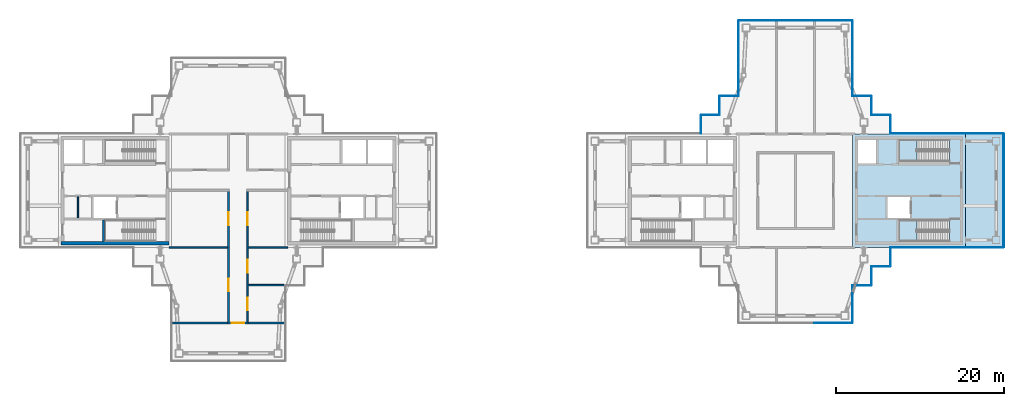
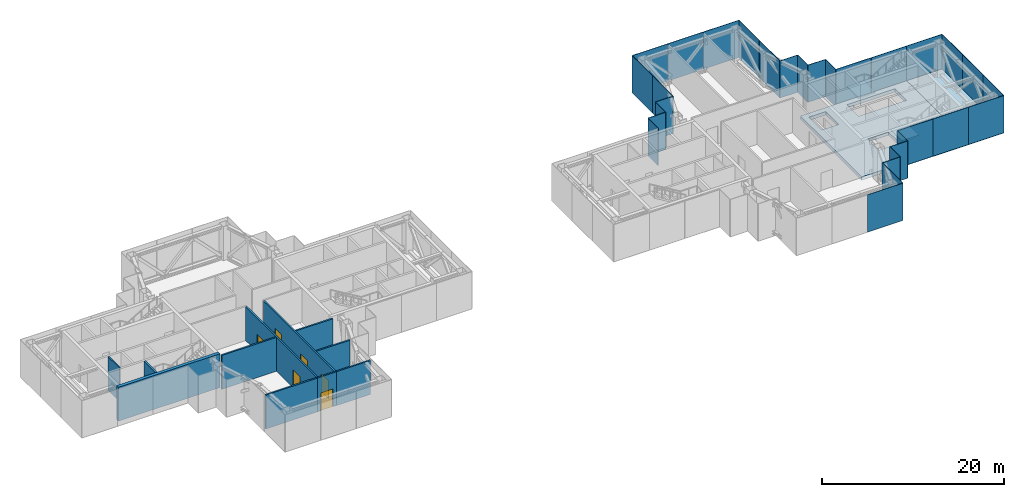
# One storey, part 6 of 18: 30 plates, 11 walls, 6 doors, 4 slabs, 6 openings, 15 elements without a shape of their own.
"""IFC4 building model written with IfcOpenShell, lengths in metres."""

from ifc_helpers import new_model, si_unit, direction, frame, frame_2d, origin, origin_2d, place, context, subcontext, project, spatial, polyline, rectangle, outline, extrude, material, layer, layer_set, type_object, element, fill, aggregate, save


model = new_model("IFC4")

# Units and contexts
model_context = context("Model", 3, precision=1e-05, world=origin(), true_north=direction((0.0, 1.0)))
body_context = subcontext(model_context, "Body", "Model", "MODEL_VIEW")
ifc_project = project(units=[si_unit("LENGTHUNIT", "METRE"), si_unit("AREAUNIT", "SQUARE_METRE"), si_unit("VOLUMEUNIT", "CUBIC_METRE"), si_unit("PLANEANGLEUNIT", "RADIAN"), si_unit("MASSUNIT", "GRAM", prefix="KILO")], contexts=[model_context])

# Site, building, storey
site_placement = place(None, origin())
site = spatial("IfcSite", under=ifc_project, at=site_placement, CompositionType="ELEMENT")
building_placement = place(site_placement, origin())
building = spatial("IfcBuilding", under=site, at=building_placement, Name="Shamsa Quay Exchange Towers", CompositionType="ELEMENT")
storey_placement = place(building_placement, frame((0.0, 0.0, 273.300048828125)))
storey = spatial("IfcBuildingStorey", under=building, at=storey_placement, Name="L66", CompositionType="ELEMENT", Elevation=273.300048828125)

# Slab
ifc_material_1 = material(Name="Concrete C50/60", Category="concrete")
ifc_layer_1 = layer(ifc_material_1, 0.449951171875)
ifc_layer_set_1 = layer_set([ifc_layer_1], Name="CORE FLOOR 450 C50/60")
slab_type_1 = type_object("IfcSlabType", Name="CORE FLOOR 450 C50/60", PredefinedType="FLOOR", material=ifc_layer_set_1)
slab_1_placement = place(storey_placement, frame((0.0, 0.0, -0.449951171875)))
element("IfcSlab", 1, at=slab_1_placement, inside=storey, type_object=slab_type_1, Name="Core floor T2B", PredefinedType="FLOOR", context=body_context, shape_type="SweptSolid", body=[
    extrude(outline(polyline([(54.0, -6.75), (54.0, 6.75), (40.5, 6.75), (40.5, -6.75), (54.0, -6.75)]), holes=[polyline([(52.099365234375, -3.5), (52.099365234375, -6.050048828125), (46.0, -6.050048828125), (46.0, -3.5), (52.099365234375, -3.5)]), polyline([(52.099365234375, 6.050048828125), (52.099365234375, 3.5), (46.0, 3.5), (46.0, 6.050048828125), (52.099365234375, 6.050048828125)]), polyline([(43.35009765625, 3.25), (41.199951171875, 3.25), (41.199951171875, 6.050048828125), (43.35009765625, 6.050048828125), (43.35009765625, 3.25)]), polyline([(47.35009765625, -3.25), (44.699951171875, -3.25), (44.699951171875, -0.75), (47.35009765625, -0.75), (47.35009765625, -3.25)])]), origin(), (0.0, 0.0, 1.0), 0.449951171875),
])

# Stair, slab
ifc_material_2 = material(Name="Concrete C40/50", Category="concrete")
stair_type = type_object("IfcStairType", Name="EXIT STAIR 30 RISERS 167 MM", PredefinedType="HALF_TURN_STAIR", material=ifc_material_2)
stair_1_placement = place(storey_placement, origin())
stair_1 = element("IfcStair", 2, at=stair_1_placement, inside=storey, type_object=stair_type, Name="L66 Exit stair ST5", PredefinedType="HALF_TURN_STAIR")
ifc_layer_2 = layer(ifc_material_2, 0.199951171875)
ifc_layer_set_2 = layer_set([ifc_layer_2], Name="CORE STAIR LANDING")
slab_type_2 = type_object("IfcSlabType", Name="CORE STAIR LANDING", PredefinedType="LANDING", material=ifc_layer_set_2)
slab_2_placement = place(storey_placement, frame((0.0, 0.0, 2.300048828125)))
slab_2 = element("IfcSlab", 3, at=slab_2_placement, type_object=slab_type_2, Name="ST5 landing 1", PredefinedType="LANDING", context=body_context, shape_type="SweptSolid", body=[
    extrude(outline(polyline([(48.179931640625, -3.5), (46.0, -3.5), (46.0, -6.050048828125), (48.179931640625, -6.050048828125), (48.179931640625, -3.5)])), origin(), (0.0, 0.0, 1.0), 0.199951171875),
])
aggregate(stair_1, [slab_2])

stair_2_placement = place(storey_placement, origin())
stair_2 = element("IfcStair", 4, at=stair_2_placement, inside=storey, type_object=stair_type, Name="L66 Exit stair ST6", PredefinedType="HALF_TURN_STAIR")
slab_3_placement = place(storey_placement, frame((0.0, 0.0, 2.300048828125)))
slab_3 = element("IfcSlab", 5, at=slab_3_placement, type_object=slab_type_2, Name="ST6 landing 1", PredefinedType="LANDING", context=body_context, shape_type="SweptSolid", body=[
    extrude(outline(polyline([(48.179931640625, 6.050048828125), (46.0, 6.050048828125), (46.0, 3.5), (48.179931640625, 3.5), (48.179931640625, 6.050048828125)])), origin(), (0.0, 0.0, 1.0), 0.199951171875),
])
aggregate(stair_2, [slab_3])

# Curtain wall, plates
ifc_material_3 = material(Name="Aluminium EN AW-6063 T6, black anodised", Category="aluminium")
ifc_layer_3 = layer(ifc_material_3, 0.320068359375)
ifc_layer_set_3 = layer_set([ifc_layer_3], Name="CW-7 BELT-LEVEL LOUVRE PANEL WALL")
curtain_wall_type = type_object("IfcCurtainWallType", Name="CW-7 BELT-LEVEL LOUVRE PANEL WALL", PredefinedType="NOTDEFINED", material=ifc_layer_set_3)
curtain_wall_1_placement = place(storey_placement, origin())
curtain_wall_1 = element("IfcCurtainWall", 6, at=curtain_wall_1_placement, inside=storey, type_object=curtain_wall_type, Name="CW7 T2-FLK-V-W L66", PredefinedType="NOTDEFINED")
ifc_material_4 = material(Name="Aluminium louvre panel, black anodised, with insulated fire-rated backing", Category="aluminium")
ifc_layer_4 = layer(ifc_material_4, 0.06005859375)
ifc_layer_set_4 = layer_set([ifc_layer_4], Name="CW-7 LOUVRE PANEL 60")
plate_type = type_object("IfcPlateType", Name="CW-7 LOUVRE PANEL 60", PredefinedType="CURTAIN_PANEL", material=ifc_layer_set_4)
plate_1_placement = place(storey_placement, frame((47.2939453125, -6.780029296875, -0.35009765625)))
plate_1 = element("IfcPlate", 7, at=plate_1_placement, type_object=plate_type, Name="CW7 glass panel", PredefinedType="CURTAIN_PANEL", context=body_context, shape_type="SweptSolid", body=[
    extrude(rectangle(XDim=4.464111328125, YDim=0.06005859375, at=origin_2d()), origin(), (0.0, 0.0, 1.0), 5.0),
])
plate_2_placement = place(storey_placement, frame((51.76806640625, -6.780029296875, -0.35009765625)))
plate_2 = element("IfcPlate", 8, at=plate_2_placement, type_object=plate_type, Name="CW7 glass panel", PredefinedType="CURTAIN_PANEL", context=body_context, shape_type="SweptSolid", body=[
    extrude(rectangle(XDim=4.464111328125, YDim=0.06005859375, at=origin_2d()), origin(), (0.0, 0.0, 1.0), 5.0),
])
aggregate(curtain_wall_1, [plate_1, plate_2])

# Curtain wall, plate
curtain_wall_2_placement = place(storey_placement, origin())
curtain_wall_2 = element("IfcCurtainWall", 9, at=curtain_wall_2_placement, inside=storey, type_object=curtain_wall_type, Name="CW7 T2-FLK-V-W L66", PredefinedType="NOTDEFINED")
plate_3_placement = place(storey_placement, frame((56.25, -6.780029296875, -0.35009765625)))
plate_3 = element("IfcPlate", 10, at=plate_3_placement, type_object=plate_type, Name="CW7 glass panel", PredefinedType="CURTAIN_PANEL", context=body_context, shape_type="SweptSolid", body=[
    extrude(rectangle(XDim=4.5, YDim=0.06005859375, at=origin_2d()), origin(), (0.0, 0.0, 1.0), 5.0),
])
aggregate(curtain_wall_2, [plate_3])

# Curtain wall, plates
curtain_wall_3_placement = place(storey_placement, origin())
curtain_wall_3 = element("IfcCurtainWall", 11, at=curtain_wall_3_placement, inside=storey, type_object=curtain_wall_type, Name="CW7 T2-END-V- L66", PredefinedType="NOTDEFINED")
plate_4_placement = place(storey_placement, frame((58.530029296875, -4.50244140625, -0.35009765625), z_axis=(0.0, 0.0, 1.0), x_axis=(0.0, 1.0, 0.0)))
plate_4 = element("IfcPlate", 12, at=plate_4_placement, type_object=plate_type, Name="CW7 glass panel", PredefinedType="CURTAIN_PANEL", context=body_context, shape_type="SweptSolid", body=[
    extrude(rectangle(XDim=4.4951171875, YDim=0.06005859375, at=origin_2d()), origin(), (0.0, 0.0, 1.0), 5.0),
])
plate_5_placement = place(storey_placement, frame((58.530029296875, 0.0, -0.35009765625), z_axis=(0.0, 0.0, 1.0), x_axis=(0.0, 1.0, 0.0)))
plate_5 = element("IfcPlate", 13, at=plate_5_placement, type_object=plate_type, Name="CW7 glass panel", PredefinedType="CURTAIN_PANEL", context=body_context, shape_type="SweptSolid", body=[
    extrude(rectangle(XDim=4.489990234375, YDim=0.06005859375, at=origin_2d()), origin(), (0.0, 0.0, 1.0), 5.0),
])
plate_6_placement = place(storey_placement, frame((58.530029296875, 4.50244140625, -0.35009765625), z_axis=(0.0, 0.0, 1.0), x_axis=(0.0, 1.0, 0.0)))
plate_6 = element("IfcPlate", 14, at=plate_6_placement, type_object=plate_type, Name="CW7 glass panel", PredefinedType="CURTAIN_PANEL", context=body_context, shape_type="SweptSolid", body=[
    extrude(rectangle(XDim=4.4951171875, YDim=0.06005859375, at=origin_2d()), origin(), (0.0, 0.0, 1.0), 5.0),
])
aggregate(curtain_wall_3, [plate_4, plate_5, plate_6])

# Curtain wall, plate
curtain_wall_4_placement = place(storey_placement, origin())
curtain_wall_4 = element("IfcCurtainWall", 15, at=curtain_wall_4_placement, inside=storey, type_object=curtain_wall_type, Name="CW7 T2-FLK-V-E L66", PredefinedType="NOTDEFINED")
plate_7_placement = place(storey_placement, frame((56.25, 6.780029296875, -0.35009765625), z_axis=(0.0, 0.0, 1.0), x_axis=(-1.0, 0.0, 0.0)))
plate_7 = element("IfcPlate", 16, at=plate_7_placement, type_object=plate_type, Name="CW7 glass panel", PredefinedType="CURTAIN_PANEL", context=body_context, shape_type="SweptSolid", body=[
    extrude(rectangle(XDim=4.5, YDim=0.06005859375, at=origin_2d()), origin(), (0.0, 0.0, 1.0), 5.0),
])
aggregate(curtain_wall_4, [plate_7])

# Curtain wall, plates
curtain_wall_5_placement = place(storey_placement, origin())
curtain_wall_5 = element("IfcCurtainWall", 17, at=curtain_wall_5_placement, inside=storey, type_object=curtain_wall_type, Name="CW7 T2-FLK-V-E L66", PredefinedType="NOTDEFINED")
plate_8_placement = place(storey_placement, frame((51.75244140625, 6.780029296875, -0.35009765625), z_axis=(0.0, 0.0, 1.0), x_axis=(-1.0, 0.0, 0.0)))
plate_8 = element("IfcPlate", 18, at=plate_8_placement, type_object=plate_type, Name="CW7 glass panel", PredefinedType="CURTAIN_PANEL", context=body_context, shape_type="SweptSolid", body=[
    extrude(rectangle(XDim=4.4951171875, YDim=0.06005859375, at=origin_2d()), origin(), (0.0, 0.0, 1.0), 5.0),
])
plate_9_placement = place(storey_placement, frame((47.24755859375, 6.780029296875, -0.35009765625), z_axis=(0.0, 0.0, 1.0), x_axis=(-1.0, 0.0, 0.0)))
plate_9 = element("IfcPlate", 19, at=plate_9_placement, type_object=plate_type, Name="CW7 glass panel", PredefinedType="CURTAIN_PANEL", context=body_context, shape_type="SweptSolid", body=[
    extrude(rectangle(XDim=4.4951171875, YDim=0.06005859375, at=origin_2d()), origin(), (0.0, 0.0, 1.0), 5.0),
])
aggregate(curtain_wall_5, [plate_8, plate_9])

curtain_wall_6_placement = place(storey_placement, origin())
curtain_wall_6 = element("IfcCurtainWall", 20, at=curtain_wall_6_placement, inside=storey, type_object=curtain_wall_type, Name="CW7 T2-FLK-U+S L66", PredefinedType="NOTDEFINED")
plate_10_placement = place(storey_placement, frame((40.530029296875, 13.5439453125, -0.35009765625), z_axis=(0.0, 0.0, 1.0), x_axis=(0.0, 1.0, 0.0)))
plate_10 = element("IfcPlate", 21, at=plate_10_placement, type_object=plate_type, Name="CW7 glass panel", PredefinedType="CURTAIN_PANEL", context=body_context, shape_type="SweptSolid", body=[
    extrude(rectangle(XDim=4.464111328125, YDim=0.06005859375, at=origin_2d()), origin(), (0.0, 0.0, 1.0), 5.0),
])
plate_11_placement = place(storey_placement, frame((40.530029296875, 18.01806640625, -0.35009765625), z_axis=(0.0, 0.0, 1.0), x_axis=(0.0, 1.0, 0.0)))
plate_11 = element("IfcPlate", 22, at=plate_11_placement, type_object=plate_type, Name="CW7 glass panel", PredefinedType="CURTAIN_PANEL", context=body_context, shape_type="SweptSolid", body=[
    extrude(rectangle(XDim=4.464111328125, YDim=0.06005859375, at=origin_2d()), origin(), (0.0, 0.0, 1.0), 5.0),
])
aggregate(curtain_wall_6, [plate_10, plate_11])

curtain_wall_7_placement = place(storey_placement, origin())
curtain_wall_7 = element("IfcCurtainWall", 23, at=curtain_wall_7_placement, inside=storey, type_object=curtain_wall_type, Name="CW7 T2-END-U+ L66", PredefinedType="NOTDEFINED")
plate_12_placement = place(storey_placement, frame((38.25244140625, 20.280029296875, -0.35009765625), z_axis=(0.0, 0.0, 1.0), x_axis=(-1.0, 0.0, 0.0)))
plate_12 = element("IfcPlate", 24, at=plate_12_placement, type_object=plate_type, Name="CW7 glass panel", PredefinedType="CURTAIN_PANEL", context=body_context, shape_type="SweptSolid", body=[
    extrude(rectangle(XDim=4.4951171875, YDim=0.06005859375, at=origin_2d()), origin(), (0.0, 0.0, 1.0), 5.0),
])
plate_13_placement = place(storey_placement, frame((33.75, 20.280029296875, -0.35009765625), z_axis=(0.0, 0.0, 1.0), x_axis=(-1.0, 0.0, 0.0)))
plate_13 = element("IfcPlate", 25, at=plate_13_placement, type_object=plate_type, Name="CW7 glass panel", PredefinedType="CURTAIN_PANEL", context=body_context, shape_type="SweptSolid", body=[
    extrude(rectangle(XDim=4.489990234375, YDim=0.06005859375, at=origin_2d()), origin(), (0.0, 0.0, 1.0), 5.0),
])
plate_14_placement = place(storey_placement, frame((29.24755859375, 20.280029296875, -0.35009765625), z_axis=(0.0, 0.0, 1.0), x_axis=(-1.0, 0.0, 0.0)))
plate_14 = element("IfcPlate", 26, at=plate_14_placement, type_object=plate_type, Name="CW7 glass panel", PredefinedType="CURTAIN_PANEL", context=body_context, shape_type="SweptSolid", body=[
    extrude(rectangle(XDim=4.4951171875, YDim=0.06005859375, at=origin_2d()), origin(), (0.0, 0.0, 1.0), 5.0),
])
aggregate(curtain_wall_7, [plate_12, plate_13, plate_14])

curtain_wall_8_placement = place(storey_placement, origin())
curtain_wall_8 = element("IfcCurtainWall", 27, at=curtain_wall_8_placement, inside=storey, type_object=curtain_wall_type, Name="CW7 T2-FLK-U+N L66", PredefinedType="NOTDEFINED")
plate_15_placement = place(storey_placement, frame((26.969970703125, 18.00244140625, -0.35009765625), z_axis=(0.0, 0.0, 1.0), x_axis=(0.0, -1.0, 0.0)))
plate_15 = element("IfcPlate", 28, at=plate_15_placement, type_object=plate_type, Name="CW7 glass panel", PredefinedType="CURTAIN_PANEL", context=body_context, shape_type="SweptSolid", body=[
    extrude(rectangle(XDim=4.4951171875, YDim=0.06005859375, at=origin_2d()), origin(), (0.0, 0.0, 1.0), 5.0),
])
plate_16_placement = place(storey_placement, frame((26.969970703125, 13.49755859375, -0.35009765625), z_axis=(0.0, 0.0, 1.0), x_axis=(0.0, -1.0, 0.0)))
plate_16 = element("IfcPlate", 29, at=plate_16_placement, type_object=plate_type, Name="CW7 glass panel", PredefinedType="CURTAIN_PANEL", context=body_context, shape_type="SweptSolid", body=[
    extrude(rectangle(XDim=4.4951171875, YDim=0.06005859375, at=origin_2d()), origin(), (0.0, 0.0, 1.0), 5.0),
])
aggregate(curtain_wall_8, [plate_15, plate_16])

# Curtain wall, plate
curtain_wall_9_placement = place(storey_placement, origin())
curtain_wall_9 = element("IfcCurtainWall", 30, at=curtain_wall_9_placement, inside=storey, type_object=curtain_wall_type, Name="CW7 T2-END-U- L66", PredefinedType="NOTDEFINED")
plate_17_placement = place(storey_placement, frame((38.25244140625, -15.780029296875, -0.35009765625)))
plate_17 = element("IfcPlate", 31, at=plate_17_placement, type_object=plate_type, Name="CW7 glass panel", PredefinedType="CURTAIN_PANEL", context=body_context, shape_type="SweptSolid", body=[
    extrude(rectangle(XDim=4.4951171875, YDim=0.06005859375, at=origin_2d()), origin(), (0.0, 0.0, 1.0), 5.0),
])
aggregate(curtain_wall_9, [plate_17])

curtain_wall_10_placement = place(storey_placement, origin())
curtain_wall_10 = element("IfcCurtainWall", 32, at=curtain_wall_10_placement, inside=storey, type_object=curtain_wall_type, Name="CW7 T2-FLK-U-S L66", PredefinedType="NOTDEFINED")
plate_18_placement = place(storey_placement, frame((40.530029296875, -13.5, -0.35009765625), z_axis=(0.0, 0.0, 1.0), x_axis=(0.0, 1.0, 0.0)))
plate_18 = element("IfcPlate", 33, at=plate_18_placement, type_object=plate_type, Name="CW7 glass panel", PredefinedType="CURTAIN_PANEL", context=body_context, shape_type="SweptSolid", body=[
    extrude(rectangle(XDim=4.5, YDim=0.06005859375, at=origin_2d()), origin(), (0.0, 0.0, 1.0), 5.0),
])
aggregate(curtain_wall_10, [plate_18])

# Curtain wall, plates
curtain_wall_11_placement = place(storey_placement, origin())
curtain_wall_11 = element("IfcCurtainWall", 34, at=curtain_wall_11_placement, inside=storey, type_object=curtain_wall_type, Name="CW7 PKWS L66", PredefinedType="NOTDEFINED")
plate_19_placement = place(storey_placement, frame((43.906005859375, -9.030029296875, -0.35009765625)))
plate_19 = element("IfcPlate", 35, at=plate_19_placement, type_object=plate_type, Name="CW7 glass panel", PredefinedType="CURTAIN_PANEL", context=body_context, shape_type="SweptSolid", body=[
    extrude(rectangle(XDim=2.18798828125, YDim=0.06005859375, at=origin_2d()), origin(), (0.0, 0.0, 1.0), 5.0),
])
plate_20_placement = place(storey_placement, frame((45.030029296875, -7.875, -0.35009765625), z_axis=(0.0, 0.0, 1.0), x_axis=(0.0, 1.0, 0.0)))
plate_20 = element("IfcPlate", 36, at=plate_20_placement, type_object=plate_type, Name="CW7 glass panel", PredefinedType="CURTAIN_PANEL", context=body_context, shape_type="SweptSolid", body=[
    extrude(rectangle(XDim=2.25, YDim=0.06005859375, at=origin_2d()), origin(), (0.0, 0.0, 1.0), 5.0),
])
plate_21_placement = place(storey_placement, frame((41.656005859375, -11.280029296875, -0.35009765625)))
plate_21 = element("IfcPlate", 37, at=plate_21_placement, type_object=plate_type, Name="CW7 glass panel", PredefinedType="CURTAIN_PANEL", context=body_context, shape_type="SweptSolid", body=[
    extrude(rectangle(XDim=2.18798828125, YDim=0.06005859375, at=origin_2d()), origin(), (0.0, 0.0, 1.0), 5.0),
])
plate_22_placement = place(storey_placement, frame((42.780029296875, -10.125, -0.35009765625), z_axis=(0.0, 0.0, 1.0), x_axis=(0.0, 1.0, 0.0)))
plate_22 = element("IfcPlate", 38, at=plate_22_placement, type_object=plate_type, Name="CW7 glass panel", PredefinedType="CURTAIN_PANEL", context=body_context, shape_type="SweptSolid", body=[
    extrude(rectangle(XDim=2.25, YDim=0.06005859375, at=origin_2d()), origin(), (0.0, 0.0, 1.0), 5.0),
])
aggregate(curtain_wall_11, [plate_19, plate_20, plate_21, plate_22])

curtain_wall_12_placement = place(storey_placement, origin())
curtain_wall_12 = element("IfcCurtainWall", 39, at=curtain_wall_12_placement, inside=storey, type_object=curtain_wall_type, Name="CW7 PKES L66", PredefinedType="NOTDEFINED")
plate_23_placement = place(storey_placement, frame((45.030029296875, 7.906005859375, -0.35009765625), z_axis=(0.0, 0.0, 1.0), x_axis=(0.0, 1.0, 0.0)))
plate_23 = element("IfcPlate", 40, at=plate_23_placement, type_object=plate_type, Name="CW7 glass panel", PredefinedType="CURTAIN_PANEL", context=body_context, shape_type="SweptSolid", body=[
    extrude(rectangle(XDim=2.18798828125, YDim=0.06005859375, at=origin_2d()), origin(), (0.0, 0.0, 1.0), 5.0),
])
plate_24_placement = place(storey_placement, frame((43.875, 9.030029296875, -0.35009765625), z_axis=(0.0, 0.0, 1.0), x_axis=(-1.0, 0.0, 0.0)))
plate_24 = element("IfcPlate", 41, at=plate_24_placement, type_object=plate_type, Name="CW7 glass panel", PredefinedType="CURTAIN_PANEL", context=body_context, shape_type="SweptSolid", body=[
    extrude(rectangle(XDim=2.25, YDim=0.06005859375, at=origin_2d()), origin(), (0.0, 0.0, 1.0), 5.0),
])
plate_25_placement = place(storey_placement, frame((42.780029296875, 10.156005859375, -0.35009765625), z_axis=(0.0, 0.0, 1.0), x_axis=(0.0, 1.0, 0.0)))
plate_25 = element("IfcPlate", 42, at=plate_25_placement, type_object=plate_type, Name="CW7 glass panel", PredefinedType="CURTAIN_PANEL", context=body_context, shape_type="SweptSolid", body=[
    extrude(rectangle(XDim=2.18798828125, YDim=0.06005859375, at=origin_2d()), origin(), (0.0, 0.0, 1.0), 5.0),
])
plate_26_placement = place(storey_placement, frame((41.625, 11.280029296875, -0.35009765625), z_axis=(0.0, 0.0, 1.0), x_axis=(-1.0, 0.0, 0.0)))
plate_26 = element("IfcPlate", 43, at=plate_26_placement, type_object=plate_type, Name="CW7 glass panel", PredefinedType="CURTAIN_PANEL", context=body_context, shape_type="SweptSolid", body=[
    extrude(rectangle(XDim=2.25, YDim=0.06005859375, at=origin_2d()), origin(), (0.0, 0.0, 1.0), 5.0),
])
aggregate(curtain_wall_12, [plate_23, plate_24, plate_25, plate_26])

curtain_wall_13_placement = place(storey_placement, origin())
curtain_wall_13 = element("IfcCurtainWall", 44, at=curtain_wall_13_placement, inside=storey, type_object=curtain_wall_type, Name="CW7 PKEN L66", PredefinedType="NOTDEFINED")
plate_27_placement = place(storey_placement, frame((25.843994140625, 11.280029296875, -0.35009765625), z_axis=(0.0, 0.0, 1.0), x_axis=(-1.0, 0.0, 0.0)))
plate_27 = element("IfcPlate", 45, at=plate_27_placement, type_object=plate_type, Name="CW7 glass panel", PredefinedType="CURTAIN_PANEL", context=body_context, shape_type="SweptSolid", body=[
    extrude(rectangle(XDim=2.18798828125, YDim=0.06005859375, at=origin_2d()), origin(), (0.0, 0.0, 1.0), 5.0),
])
plate_28_placement = place(storey_placement, frame((24.719970703125, 10.125, -0.35009765625), z_axis=(0.0, 0.0, 1.0), x_axis=(0.0, -1.0, 0.0)))
plate_28 = element("IfcPlate", 46, at=plate_28_placement, type_object=plate_type, Name="CW7 glass panel", PredefinedType="CURTAIN_PANEL", context=body_context, shape_type="SweptSolid", body=[
    extrude(rectangle(XDim=2.25, YDim=0.06005859375, at=origin_2d()), origin(), (0.0, 0.0, 1.0), 5.0),
])
plate_29_placement = place(storey_placement, frame((23.593994140625, 9.030029296875, -0.35009765625), z_axis=(0.0, 0.0, 1.0), x_axis=(-1.0, 0.0, 0.0)))
plate_29 = element("IfcPlate", 47, at=plate_29_placement, type_object=plate_type, Name="CW7 glass panel", PredefinedType="CURTAIN_PANEL", context=body_context, shape_type="SweptSolid", body=[
    extrude(rectangle(XDim=2.18798828125, YDim=0.06005859375, at=origin_2d()), origin(), (0.0, 0.0, 1.0), 5.0),
])
plate_30_placement = place(storey_placement, frame((22.469970703125, 7.875, -0.35009765625), z_axis=(0.0, 0.0, 1.0), x_axis=(0.0, -1.0, 0.0)))
plate_30 = element("IfcPlate", 48, at=plate_30_placement, type_object=plate_type, Name="CW7 glass panel", PredefinedType="CURTAIN_PANEL", context=body_context, shape_type="SweptSolid", body=[
    extrude(rectangle(XDim=2.25, YDim=0.06005859375, at=origin_2d()), origin(), (0.0, 0.0, 1.0), 5.0),
])
aggregate(curtain_wall_13, [plate_27, plate_28, plate_29, plate_30])

# Slab
ifc_layer_5 = layer(ifc_material_2, 0.449951171875)
ifc_layer_set_5 = layer_set([ifc_layer_5], Name="Flat slab 450")
slab_type_3 = type_object("IfcSlabType", Name="Flat slab 450", PredefinedType="FLOOR", material=ifc_layer_set_5)
slab_4_placement = place(storey_placement, frame((0.0, 0.0, -0.449951171875)))
element("IfcSlab", 49, at=slab_4_placement, inside=storey, type_object=slab_type_3, Name="Flat slab T2 L66 6", PredefinedType="FLOOR", context=body_context, shape_type="SweptSolid", body=[
    extrude(outline(polyline([(58.5, 6.75), (54.0, 6.75), (54.0, -6.75), (58.5, -6.75), (58.5, 6.75)])), origin(), (0.0, 0.0, 1.0), 0.449951171875),
])

# Walls
ifc_material_5 = material(Name="Concrete C60/75", Category="concrete")
ifc_layer_6 = layer(ifc_material_5, 0.39990234375)
ifc_layer_set_6 = layer_set([ifc_layer_6], Name="CORE WALL 400 C60/75")
wall_type_1 = type_object("IfcWallType", Name="CORE WALL 400 C60/75", PredefinedType="SHEAR", material=ifc_layer_set_6)
wall_1_placement = place(storey_placement, frame((-40.800048828125, -6.25, 0.0), z_axis=(0.0, 0.0, 1.0), x_axis=(-1.0, 0.0, 0.0)))
element("IfcWall", 50, at=wall_1_placement, inside=storey, type_object=wall_type_1, Name="Core wall T1B-L66-PS", PredefinedType="SHEAR", context=body_context, shape_type="SweptSolid", body=[
    extrude(rectangle(XDim=12.89990234375, YDim=0.39990234375, at=frame_2d((6.449951171875, 0.0))), origin(), (0.0, 0.0, 1.0), 4.550048828125),
])
ifc_material_6 = material(Name="Gypsum board on steel studs, EI 60", Category="steel")
ifc_layer_7 = layer(ifc_material_6, 0.14990234375)
ifc_layer_set_7 = layer_set([ifc_layer_7], Name="FIRE PARTITION 150")
wall_type_2 = type_object("IfcWallType", Name="FIRE PARTITION 150", PredefinedType="PARTITIONING", material=ifc_layer_set_7)
wall_2_placement = place(storey_placement, frame((-51.64990234375, -3.25, 0.0), z_axis=(0.0, 0.0, 1.0), x_axis=(0.0, 1.0, 0.0)))
element("IfcWall", 51, at=wall_2_placement, inside=storey, type_object=wall_type_2, Name="Partition T1B-L66-EC0", PredefinedType="PARTITIONING", context=body_context, shape_type="SweptSolid", body=[
    extrude(rectangle(XDim=2.5, YDim=0.14990234375, at=frame_2d((1.25, 0.0))), origin(), (0.0, 0.0, 1.0), 4.550048828125),
])

# Wall, openings, doors
ifc_material_7 = material(Name="Gypsum board partition on metal studs")
ifc_layer_8 = layer(ifc_material_7, 0.199951171875)
ifc_layer_set_8 = layer_set([ifc_layer_8], Name="Partition 200 mm EI 120")
wall_type_3 = type_object("IfcWallType", Name="Partition 200 mm EI 120", PredefinedType="PARTITIONING", material=ifc_layer_set_8)
wall_3_placement = place(storey_placement, frame((-31.5, -0.05029296875, 0.0), z_axis=(0.0, 0.0, 1.0), x_axis=(0.0, -1.0, 0.0)))
wall_3 = element("IfcWall", 52, at=wall_3_placement, inside=storey, type_object=wall_type_3, Name="Partition T1-L66-W02", PredefinedType="PARTITIONING", context=body_context, shape_type="SweptSolid", body=[
    extrude(rectangle(XDim=15.599609375, YDim=0.199951171875, at=frame_2d((7.7998046875, 0.0))), origin(), (0.0, 0.0, 1.0), 4.550048828125),
])
opening_1_placement = place(wall_3_placement, frame((2.5498046875, 0.0, 0.0)))
opening_1 = element("IfcOpeningElement", 53, at=opening_1_placement, cuts=wall_3, Name="Opening T1-L66-D06", PredefinedType="OPENING", context=body_context, shape_type="SweptSolid", body=[
    extrude(rectangle(XDim=1.5, YDim=2.39990234375, at=frame_2d((0.75, 1.199951171875))), frame((0.0, 0.10986328125, 0.0), z_axis=(0.0, -1.0, 0.0), x_axis=(1.0, 0.0, 0.0)), (0.0, 0.0, 1.0), 0.219970703125),
])
opening_2_placement = place(wall_3_placement, frame((8.19970703125, 0.0, 0.0)))
opening_2 = element("IfcOpeningElement", 54, at=opening_2_placement, cuts=wall_3, Name="Opening T1-L66-D07", PredefinedType="OPENING", context=body_context, shape_type="SweptSolid", body=[
    extrude(rectangle(XDim=1.5, YDim=2.39990234375, at=frame_2d((0.75, 1.199951171875))), frame((0.0, 0.10986328125, 0.0), z_axis=(0.0, -1.0, 0.0), x_axis=(1.0, 0.0, 0.0)), (0.0, 0.0, 1.0), 0.219970703125),
])
opening_3_placement = place(wall_3_placement, frame((12.69970703125, 0.0, 0.0)))
opening_3 = element("IfcOpeningElement", 55, at=opening_3_placement, cuts=wall_3, Name="Opening T1-L66-D08", PredefinedType="OPENING", context=body_context, shape_type="SweptSolid", body=[
    extrude(rectangle(XDim=1.5, YDim=2.39990234375, at=frame_2d((0.75, 1.199951171875))), frame((0.0, 0.10986328125, 0.0), z_axis=(0.0, -1.0, 0.0), x_axis=(1.0, 0.0, 0.0)), (0.0, 0.0, 1.0), 0.219970703125),
])
ifc_material_8 = material(Name="Timber door leaf in a metal frame", Category="wood")
door_type = type_object("IfcDoorType", Name="Door 1500x2400 FD60 pair", OperationType="NOTDEFINED", PredefinedType="DOOR", material=ifc_material_8)
door_1_placement = place(opening_1_placement, origin())
door_1 = element("IfcDoor", 56, at=door_1_placement, inside=storey, type_object=door_type, Name="Door T1-L66-D06", OperationType="DOUBLE_DOOR_SINGLE_SWING", OverallHeight=2.39990234375, OverallWidth=1.5, PredefinedType="DOOR", context=body_context, shape_type="SweptSolid", body=[
    extrude(rectangle(XDim=1.5, YDim=2.39990234375, at=frame_2d((0.75, 1.199951171875))), frame((0.0, 0.02490234375, 0.0), z_axis=(0.0, -1.0, 0.0), x_axis=(1.0, 0.0, 0.0)), (0.0, 0.0, 1.0), 0.050048828125),
])
fill(opening_1, door_1)
door_2_placement = place(opening_2_placement, origin())
door_2 = element("IfcDoor", 57, at=door_2_placement, inside=storey, type_object=door_type, Name="Door T1-L66-D07", OperationType="DOUBLE_DOOR_SINGLE_SWING", OverallHeight=2.39990234375, OverallWidth=1.5, PredefinedType="DOOR", context=body_context, shape_type="SweptSolid", body=[
    extrude(rectangle(XDim=1.5, YDim=2.39990234375, at=frame_2d((0.75, 1.199951171875))), frame((0.0, 0.02490234375, 0.0), z_axis=(0.0, -1.0, 0.0), x_axis=(1.0, 0.0, 0.0)), (0.0, 0.0, 1.0), 0.050048828125),
])
fill(opening_2, door_2)
door_3_placement = place(opening_3_placement, origin())
door_3 = element("IfcDoor", 58, at=door_3_placement, inside=storey, type_object=door_type, Name="Door T1-L66-D08", OperationType="DOUBLE_DOOR_SINGLE_SWING", OverallHeight=2.39990234375, OverallWidth=1.5, PredefinedType="DOOR", context=body_context, shape_type="SweptSolid", body=[
    extrude(rectangle(XDim=1.5, YDim=2.39990234375, at=frame_2d((0.75, 1.199951171875))), frame((0.0, 0.02490234375, 0.0), z_axis=(0.0, -1.0, 0.0), x_axis=(1.0, 0.0, 0.0)), (0.0, 0.0, 1.0), 0.050048828125),
])
fill(opening_3, door_3)

wall_4_placement = place(storey_placement, frame((-33.75, -15.64990234375, 0.0), z_axis=(0.0, 0.0, 1.0), x_axis=(0.0, 1.0, 0.0)))
wall_4 = element("IfcWall", 59, at=wall_4_placement, inside=storey, type_object=wall_type_3, Name="Partition T1-L66-W07", PredefinedType="PARTITIONING", context=body_context, shape_type="SweptSolid", body=[
    extrude(rectangle(XDim=15.599609375, YDim=0.199951171875, at=frame_2d((7.7998046875, 0.0))), origin(), (0.0, 0.0, 1.0), 4.550048828125),
])
opening_4_placement = place(wall_4_placement, frame((3.64990234375, 0.0, 0.0)))
opening_4 = element("IfcOpeningElement", 60, at=opening_4_placement, cuts=wall_4, Name="Opening T1-L66-D02", PredefinedType="OPENING", context=body_context, shape_type="SweptSolid", body=[
    extrude(rectangle(XDim=1.5, YDim=2.39990234375, at=frame_2d((0.75, 1.199951171875))), frame((0.0, 0.10986328125, 0.0), z_axis=(0.0, -1.0, 0.0), x_axis=(1.0, 0.0, 0.0)), (0.0, 0.0, 1.0), 0.219970703125),
])
opening_5_placement = place(wall_4_placement, frame((11.5498046875, 0.0, 0.0)))
opening_5 = element("IfcOpeningElement", 61, at=opening_5_placement, cuts=wall_4, Name="Opening T1-L66-D03", PredefinedType="OPENING", context=body_context, shape_type="SweptSolid", body=[
    extrude(rectangle(XDim=1.5, YDim=2.39990234375, at=frame_2d((0.75, 1.199951171875))), frame((0.0, 0.10986328125, 0.0), z_axis=(0.0, -1.0, 0.0), x_axis=(1.0, 0.0, 0.0)), (0.0, 0.0, 1.0), 0.219970703125),
])
door_4_placement = place(opening_4_placement, origin())
door_4 = element("IfcDoor", 62, at=door_4_placement, inside=storey, type_object=door_type, Name="Door T1-L66-D02", OperationType="DOUBLE_DOOR_SINGLE_SWING", OverallHeight=2.39990234375, OverallWidth=1.5, PredefinedType="DOOR", context=body_context, shape_type="SweptSolid", body=[
    extrude(rectangle(XDim=1.5, YDim=2.39990234375, at=frame_2d((0.75, 1.199951171875))), frame((0.0, 0.02490234375, 0.0), z_axis=(0.0, -1.0, 0.0), x_axis=(1.0, 0.0, 0.0)), (0.0, 0.0, 1.0), 0.050048828125),
])
fill(opening_4, door_4)
door_5_placement = place(opening_5_placement, origin())
door_5 = element("IfcDoor", 63, at=door_5_placement, inside=storey, type_object=door_type, Name="Door T1-L66-D03", OperationType="DOUBLE_DOOR_SINGLE_SWING", OverallHeight=2.39990234375, OverallWidth=1.5, PredefinedType="DOOR", context=body_context, shape_type="SweptSolid", body=[
    extrude(rectangle(XDim=1.5, YDim=2.39990234375, at=frame_2d((0.75, 1.199951171875))), frame((0.0, 0.02490234375, 0.0), z_axis=(0.0, -1.0, 0.0), x_axis=(1.0, 0.0, 0.0)), (0.0, 0.0, 1.0), 0.050048828125),
])
fill(opening_5, door_5)

# Wall, opening, door
wall_5_placement = place(storey_placement, frame((-31.39990234375, -15.75, 0.0), z_axis=(0.0, 0.0, 1.0), x_axis=(-1.0, 0.0, 0.0)))
wall_5 = element("IfcWall", 64, at=wall_5_placement, inside=storey, type_object=wall_type_3, Name="Partition T1-L66-W10", PredefinedType="PARTITIONING", context=body_context, shape_type="SweptSolid", body=[
    extrude(rectangle(XDim=2.4501953125, YDim=0.199951171875, at=frame_2d((1.22509765625, 0.0))), origin(), (0.0, 0.0, 1.0), 4.550048828125),
])
opening_6_placement = place(wall_5_placement, frame((0.47509765625, 0.0, 0.0)))
opening_6 = element("IfcOpeningElement", 65, at=opening_6_placement, cuts=wall_5, Name="Opening T1-L66-D05", PredefinedType="OPENING", context=body_context, shape_type="SweptSolid", body=[
    extrude(rectangle(XDim=1.5, YDim=2.39990234375, at=frame_2d((0.75, 1.199951171875))), frame((0.0, 0.10986328125, 0.0), z_axis=(0.0, -1.0, 0.0), x_axis=(1.0, 0.0, 0.0)), (0.0, 0.0, 1.0), 0.219970703125),
])
door_6_placement = place(opening_6_placement, origin())
door_6 = element("IfcDoor", 66, at=door_6_placement, inside=storey, type_object=door_type, Name="Door T1-L66-D05", OperationType="DOUBLE_DOOR_SINGLE_SWING", OverallHeight=2.39990234375, OverallWidth=1.5, PredefinedType="DOOR", context=body_context, shape_type="SweptSolid", body=[
    extrude(rectangle(XDim=1.5, YDim=2.39990234375, at=frame_2d((0.75, 1.199951171875))), frame((0.0, 0.02490234375, 0.0), z_axis=(0.0, -1.0, 0.0), x_axis=(1.0, 0.0, 0.0)), (0.0, 0.0, 1.0), 0.050048828125),
])
fill(opening_6, door_6)

# Walls
wall_6_placement = place(storey_placement, frame((-40.800048828125, -6.75, 0.0)))
element("IfcWall", 67, at=wall_6_placement, inside=storey, type_object=wall_type_3, Name="Partition T1-L66-W13", PredefinedType="PARTITIONING", context=body_context, shape_type="SweptSolid", body=[
    extrude(rectangle(XDim=6.949951171875, YDim=0.199951171875, at=frame_2d((3.47509765625, 0.0))), origin(), (0.0, 0.0, 1.0), 4.550048828125),
])
wall_7_placement = place(storey_placement, frame((-31.39990234375, -6.75, 0.0)))
element("IfcWall", 68, at=wall_7_placement, inside=storey, type_object=wall_type_3, Name="Partition T1-L66-W14", PredefinedType="PARTITIONING", context=body_context, shape_type="SweptSolid", body=[
    extrude(rectangle(XDim=4.699951171875, YDim=0.199951171875, at=frame_2d((2.35009765625, 0.0))), origin(), (0.0, 0.0, 1.0), 4.550048828125),
])
wall_8_placement = place(storey_placement, frame((-31.39990234375, -11.25, 0.0)))
element("IfcWall", 69, at=wall_8_placement, inside=storey, type_object=wall_type_3, Name="Partition T1-L66-W15", PredefinedType="PARTITIONING", context=body_context, shape_type="SweptSolid", body=[
    extrude(rectangle(XDim=4.304931640625, YDim=0.199951171875, at=frame_2d((2.15234375, 0.0))), origin(), (0.0, 0.0, 1.0), 4.550048828125),
])
wall_9_placement = place(storey_placement, frame((-40.405029296875, -15.75, 0.0)))
element("IfcWall", 70, at=wall_9_placement, inside=storey, type_object=wall_type_3, Name="Partition T1-L66-W16", PredefinedType="PARTITIONING", context=body_context, shape_type="SweptSolid", body=[
    extrude(rectangle(XDim=6.755126953125, YDim=0.199951171875, at=frame_2d((3.37744140625, 0.0))), origin(), (0.0, 0.0, 1.0), 4.550048828125),
])
wall_10_placement = place(storey_placement, frame((-31.60009765625, -15.75, 0.0)))
element("IfcWall", 71, at=wall_10_placement, inside=storey, type_object=wall_type_3, Name="Partition T1-L66-W17", PredefinedType="PARTITIONING", context=body_context, shape_type="SweptSolid", body=[
    extrude(rectangle(XDim=4.505126953125, YDim=0.199951171875, at=frame_2d((2.25244140625, 0.0))), origin(), (0.0, 0.0, 1.0), 4.550048828125),
])
ifc_layer_9 = layer(ifc_material_1, 0.25)
ifc_layer_set_9 = layer_set([ifc_layer_9], Name="SHAFT WALL 250 C50/60")
wall_type_4 = type_object("IfcWallType", Name="SHAFT WALL 250 C50/60", PredefinedType="SHEAR", material=ifc_layer_set_9)
wall_11_placement = place(storey_placement, frame((-48.625, -6.050048828125, 0.0), z_axis=(0.0, 0.0, 1.0), x_axis=(0.0, 1.0, 0.0)))
element("IfcWall", 72, at=wall_11_placement, inside=storey, type_object=wall_type_4, Name="Shaft wall T1B-L66-STF", PredefinedType="SHEAR", context=body_context, shape_type="SweptSolid", body=[
    extrude(rectangle(XDim=2.550048828125, YDim=0.25, at=frame_2d((1.27490234375, 0.0))), origin(), (0.0, 0.0, 1.0), 4.550048828125),
])

save(model, "model.ifc")
